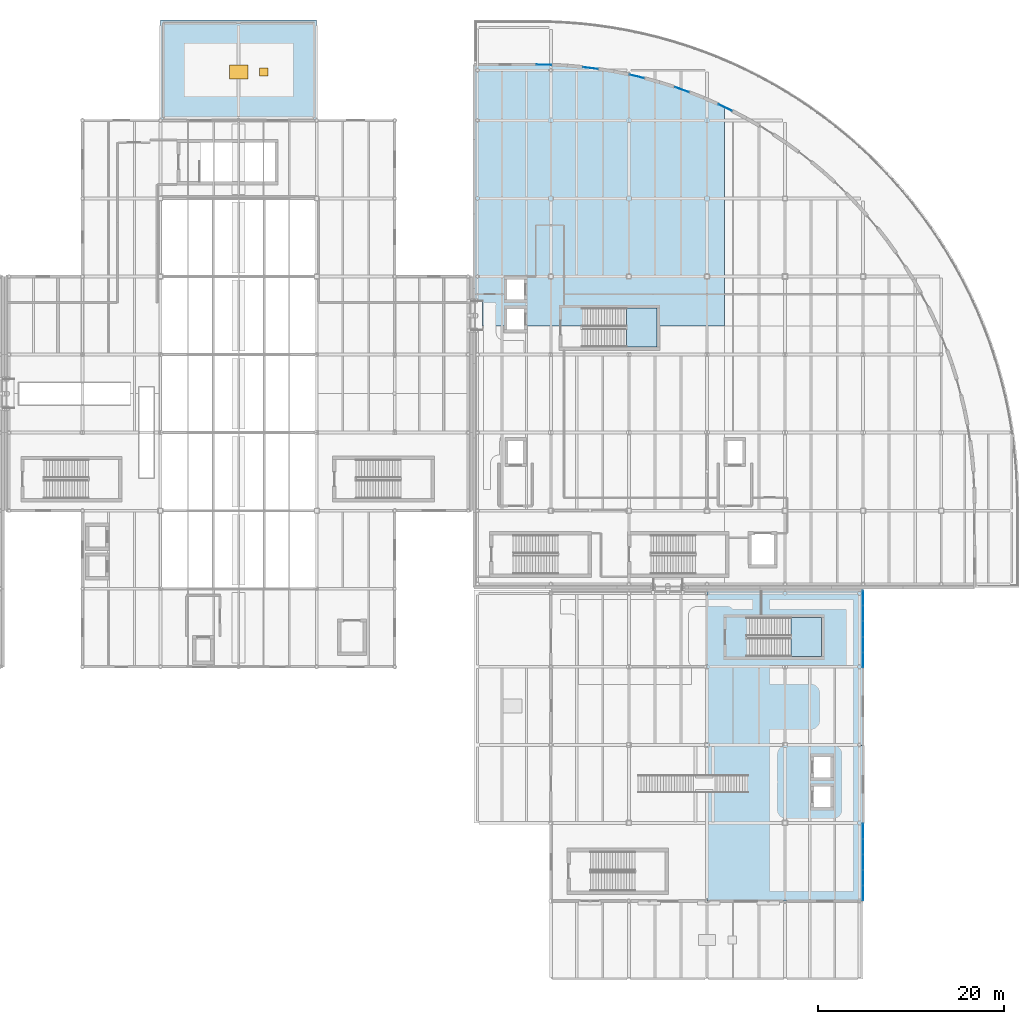
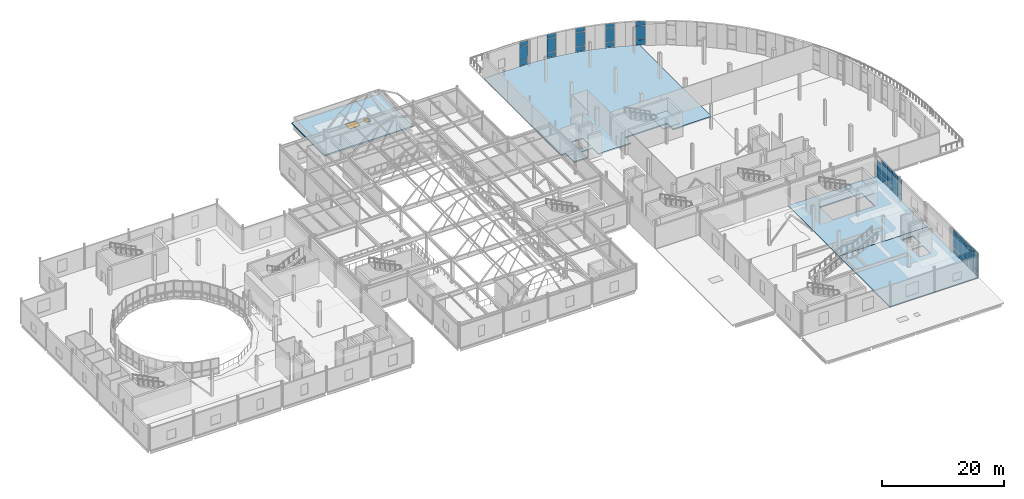
# One storey, part 60 of 103: 44 plates, 6 slabs, 1 door, 1 window, 2 openings, 9 elements without a shape of their own.
"""IFC4 building model written with IfcOpenShell, lengths in metres."""

from ifc_helpers import new_model, si_unit, direction, frame, origin, origin_2d, place, context, subcontext, project, spatial, polyline, rectangle, outline, extrude, material, layer, layer_set, type_object, element, fill, aggregate, save


model = new_model("IFC4")

# Units and contexts
model_context = context("Model", 3, precision=1e-05, world=origin(), true_north=direction((0.0, 1.0)))
body_context = subcontext(model_context, "Body", "Model", "MODEL_VIEW")
ifc_project = project(units=[si_unit("LENGTHUNIT", "METRE"), si_unit("AREAUNIT", "SQUARE_METRE"), si_unit("VOLUMEUNIT", "CUBIC_METRE"), si_unit("PLANEANGLEUNIT", "RADIAN"), si_unit("MASSUNIT", "GRAM", prefix="KILO"), si_unit("THERMODYNAMICTEMPERATUREUNIT", "KELVIN")], contexts=[model_context])

# Site, building, storey
site_placement = place(None, origin())
site = spatial("IfcSite", under=ifc_project, at=site_placement, CompositionType="ELEMENT")
building_placement = place(site_placement, origin())
building = spatial("IfcBuilding", under=site, at=building_placement, Name="Lustrewick Department Store", CompositionType="ELEMENT")
storey_placement = place(building_placement, frame((0.0, 0.0, 16.5)))
storey = spatial("IfcBuildingStorey", under=building, at=storey_placement, Name="L04", CompositionType="ELEMENT", Elevation=16.5)

# Curtain wall, plates
ifc_material_1 = material(Name="Thermally broken aluminium 6063-T5", Category="aluminium")
ifc_layer_1 = layer(ifc_material_1, 0.179931640625, Name="Thermally broken aluminium 6063-T5")
ifc_layer_set_1 = layer_set([ifc_layer_1], Name="Thermally broken aluminium 6063-T5")
curtain_wall_type_1 = type_object("IfcCurtainWallType", Name="CW11", PredefinedType="NOTDEFINED", material=ifc_layer_set_1)
curtain_wall_1_placement = place(storey_placement, origin())
curtain_wall_1 = element("IfcCurtainWall", 1, at=curtain_wall_1_placement, inside=storey, type_object=curtain_wall_type_1, Name="L04 V4 Curtain Wall CW11", PredefinedType="NOTDEFINED")
ifc_material_2 = material(Name="Low-E laminated safety glass", Category="glass")
ifc_layer_2 = layer(ifc_material_2, 0.02392578125, Name="Low-E laminated safety glass")
ifc_layer_set_2 = layer_set([ifc_layer_2], Name="Low-E laminated safety glass")
plate_type_1 = type_object("IfcPlateType", Name="CP01", PredefinedType="CURTAIN_PANEL", material=ifc_layer_set_2)
plate_1_placement = place(storey_placement, frame((126.85302734375, 105.527587890625, 0.06494140625), z_axis=(0.0, 0.0, 1.0), x_axis=(-0.973196447737, 0.229975377185, 0.0)))
plate_1 = element("IfcPlate", 2, at=plate_1_placement, type_object=plate_type_1, Name="CW11 panel 1.1", PredefinedType="CURTAIN_PANEL", context=body_context, shape_type="SweptSolid", body=[
    extrude(rectangle(XDim=1.554931640625, YDim=0.02392578125, at=origin_2d()), origin(), (0.0, 0.0, 1.0), 1.00244140625),
])
plate_2_placement = place(storey_placement, frame((126.85302734375, 105.527587890625, 1.13232421875), z_axis=(0.0, 0.0, 1.0), x_axis=(-0.973196447737, 0.229975377185, 0.0)))
plate_2 = element("IfcPlate", 3, at=plate_2_placement, type_object=plate_type_1, Name="CW11 panel 1.2", PredefinedType="CURTAIN_PANEL", context=body_context, shape_type="SweptSolid", body=[
    extrude(rectangle(XDim=1.554931640625, YDim=0.02392578125, at=origin_2d()), origin(), (0.0, 0.0, 1.0), 2.780029296875),
])
plate_3_placement = place(storey_placement, frame((126.85302734375, 105.527587890625, 3.9775390625), z_axis=(0.0, 0.0, 1.0), x_axis=(-0.973196447737, 0.229975377185, 0.0)))
plate_3 = element("IfcPlate", 4, at=plate_3_placement, type_object=plate_type_1, Name="CW11 panel 1.3", PredefinedType="CURTAIN_PANEL", context=body_context, shape_type="SweptSolid", body=[
    extrude(rectangle(XDim=1.554931640625, YDim=0.02392578125, at=origin_2d()), origin(), (0.0, 0.0, 1.0), 0.802490234375),
])
aggregate(curtain_wall_1, [plate_1, plate_2, plate_3])

ifc_layer_3 = layer(ifc_material_1, 0.169921875, Name="Thermally broken aluminium 6063-T5")
ifc_layer_set_3 = layer_set([ifc_layer_3], Name="Thermally broken aluminium 6063-T5")
curtain_wall_type_2 = type_object("IfcCurtainWallType", Name="CW12", PredefinedType="NOTDEFINED", material=ifc_layer_set_3)
curtain_wall_2_placement = place(storey_placement, origin())
curtain_wall_2 = element("IfcCurtainWall", 5, at=curtain_wall_2_placement, inside=storey, type_object=curtain_wall_type_2, Name="L04 V3 Curtain Wall CW12", PredefinedType="NOTDEFINED")
ifc_layer_4 = layer(ifc_material_2, 0.02587890625, Name="Low-E laminated safety glass")
ifc_layer_set_4 = layer_set([ifc_layer_4], Name="Low-E laminated safety glass")
plate_type_2 = type_object("IfcPlateType", Name="CP02", PredefinedType="CURTAIN_PANEL", material=ifc_layer_set_4)
plate_4_placement = place(storey_placement, frame((151.199951171875, 17.652587890625, 0.06494140625), z_axis=(0.0, 0.0, 1.0), x_axis=(0.0, 1.0, 0.0)))
plate_4 = element("IfcPlate", 6, at=plate_4_placement, type_object=plate_type_2, Name="CW12 panel 1.1", PredefinedType="CURTAIN_PANEL", context=body_context, shape_type="SweptSolid", body=[
    extrude(rectangle(XDim=1.574951171875, YDim=0.02587890625, at=origin_2d()), origin(), (0.0, 0.0, 1.0), 1.00244140625),
])
plate_5_placement = place(storey_placement, frame((151.199951171875, 17.652587890625, 1.13232421875), z_axis=(0.0, 0.0, 1.0), x_axis=(0.0, 1.0, 0.0)))
plate_5 = element("IfcPlate", 7, at=plate_5_placement, type_object=plate_type_2, Name="CW12 panel 1.2", PredefinedType="CURTAIN_PANEL", context=body_context, shape_type="SweptSolid", body=[
    extrude(rectangle(XDim=1.574951171875, YDim=0.02587890625, at=origin_2d()), origin(), (0.0, 0.0, 1.0), 2.780029296875),
])
plate_6_placement = place(storey_placement, frame((151.199951171875, 17.652587890625, 3.9775390625), z_axis=(0.0, 0.0, 1.0), x_axis=(0.0, 1.0, 0.0)))
plate_6 = element("IfcPlate", 8, at=plate_6_placement, type_object=plate_type_2, Name="CW12 panel 1.3", PredefinedType="CURTAIN_PANEL", context=body_context, shape_type="SweptSolid", body=[
    extrude(rectangle(XDim=1.574951171875, YDim=0.02587890625, at=origin_2d()), origin(), (0.0, 0.0, 1.0), 0.802490234375),
])
plate_7_placement = place(storey_placement, frame((151.199951171875, 19.308837890625, 0.06494140625), z_axis=(0.0, 0.0, 1.0), x_axis=(0.0, 1.0, 0.0)))
plate_7 = element("IfcPlate", 9, at=plate_7_placement, type_object=plate_type_2, Name="CW12 panel 2.1", PredefinedType="CURTAIN_PANEL", context=body_context, shape_type="SweptSolid", body=[
    extrude(rectangle(XDim=1.607421875, YDim=0.02587890625, at=origin_2d()), origin(), (0.0, 0.0, 1.0), 1.00244140625),
])
plate_8_placement = place(storey_placement, frame((151.199951171875, 19.308837890625, 1.13232421875), z_axis=(0.0, 0.0, 1.0), x_axis=(0.0, 1.0, 0.0)))
plate_8 = element("IfcPlate", 10, at=plate_8_placement, type_object=plate_type_2, Name="CW12 panel 2.2", PredefinedType="CURTAIN_PANEL", context=body_context, shape_type="SweptSolid", body=[
    extrude(rectangle(XDim=1.607421875, YDim=0.02587890625, at=origin_2d()), origin(), (0.0, 0.0, 1.0), 2.780029296875),
])
plate_9_placement = place(storey_placement, frame((151.199951171875, 19.308837890625, 3.9775390625), z_axis=(0.0, 0.0, 1.0), x_axis=(0.0, 1.0, 0.0)))
plate_9 = element("IfcPlate", 11, at=plate_9_placement, type_object=plate_type_2, Name="CW12 panel 2.3", PredefinedType="CURTAIN_PANEL", context=body_context, shape_type="SweptSolid", body=[
    extrude(rectangle(XDim=1.607421875, YDim=0.02587890625, at=origin_2d()), origin(), (0.0, 0.0, 1.0), 0.802490234375),
])
plate_10_placement = place(storey_placement, frame((151.199951171875, 20.981201171875, 0.06494140625), z_axis=(0.0, 0.0, 1.0), x_axis=(0.0, 1.0, 0.0)))
plate_10 = element("IfcPlate", 12, at=plate_10_placement, type_object=plate_type_2, Name="CW12 panel 3.1", PredefinedType="CURTAIN_PANEL", context=body_context, shape_type="SweptSolid", body=[
    extrude(rectangle(XDim=1.607421875, YDim=0.02587890625, at=origin_2d()), origin(), (0.0, 0.0, 1.0), 1.00244140625),
])
plate_11_placement = place(storey_placement, frame((151.199951171875, 20.981201171875, 1.13232421875), z_axis=(0.0, 0.0, 1.0), x_axis=(0.0, 1.0, 0.0)))
plate_11 = element("IfcPlate", 13, at=plate_11_placement, type_object=plate_type_2, Name="CW12 panel 3.2", PredefinedType="CURTAIN_PANEL", context=body_context, shape_type="SweptSolid", body=[
    extrude(rectangle(XDim=1.607421875, YDim=0.02587890625, at=origin_2d()), origin(), (0.0, 0.0, 1.0), 2.780029296875),
])
plate_12_placement = place(storey_placement, frame((151.199951171875, 20.981201171875, 3.9775390625), z_axis=(0.0, 0.0, 1.0), x_axis=(0.0, 1.0, 0.0)))
plate_12 = element("IfcPlate", 14, at=plate_12_placement, type_object=plate_type_2, Name="CW12 panel 3.3", PredefinedType="CURTAIN_PANEL", context=body_context, shape_type="SweptSolid", body=[
    extrude(rectangle(XDim=1.607421875, YDim=0.02587890625, at=origin_2d()), origin(), (0.0, 0.0, 1.0), 0.802490234375),
])
plate_13_placement = place(storey_placement, frame((151.199951171875, 22.65380859375, 0.06494140625), z_axis=(0.0, 0.0, 1.0), x_axis=(0.0, 1.0, 0.0)))
plate_13 = element("IfcPlate", 15, at=plate_13_placement, type_object=plate_type_2, Name="CW12 panel 4.1", PredefinedType="CURTAIN_PANEL", context=body_context, shape_type="SweptSolid", body=[
    extrude(rectangle(XDim=1.607421875, YDim=0.02587890625, at=origin_2d()), origin(), (0.0, 0.0, 1.0), 1.00244140625),
])
plate_14_placement = place(storey_placement, frame((151.199951171875, 22.65380859375, 1.13232421875), z_axis=(0.0, 0.0, 1.0), x_axis=(0.0, 1.0, 0.0)))
plate_14 = element("IfcPlate", 16, at=plate_14_placement, type_object=plate_type_2, Name="CW12 panel 4.2", PredefinedType="CURTAIN_PANEL", context=body_context, shape_type="SweptSolid", body=[
    extrude(rectangle(XDim=1.607421875, YDim=0.02587890625, at=origin_2d()), origin(), (0.0, 0.0, 1.0), 2.780029296875),
])
plate_15_placement = place(storey_placement, frame((151.199951171875, 22.65380859375, 3.9775390625), z_axis=(0.0, 0.0, 1.0), x_axis=(0.0, 1.0, 0.0)))
plate_15 = element("IfcPlate", 17, at=plate_15_placement, type_object=plate_type_2, Name="CW12 panel 4.3", PredefinedType="CURTAIN_PANEL", context=body_context, shape_type="SweptSolid", body=[
    extrude(rectangle(XDim=1.607421875, YDim=0.02587890625, at=origin_2d()), origin(), (0.0, 0.0, 1.0), 0.802490234375),
])
plate_16_placement = place(storey_placement, frame((151.199951171875, 24.31005859375, 0.06494140625), z_axis=(0.0, 0.0, 1.0), x_axis=(0.0, 1.0, 0.0)))
plate_16 = element("IfcPlate", 18, at=plate_16_placement, type_object=plate_type_2, Name="CW12 panel 5.1", PredefinedType="CURTAIN_PANEL", context=body_context, shape_type="SweptSolid", body=[
    extrude(rectangle(XDim=1.574951171875, YDim=0.02587890625, at=origin_2d()), origin(), (0.0, 0.0, 1.0), 1.00244140625),
])
plate_17_placement = place(storey_placement, frame((151.199951171875, 24.31005859375, 1.13232421875), z_axis=(0.0, 0.0, 1.0), x_axis=(0.0, 1.0, 0.0)))
plate_17 = element("IfcPlate", 19, at=plate_17_placement, type_object=plate_type_2, Name="CW12 panel 5.2", PredefinedType="CURTAIN_PANEL", context=body_context, shape_type="SweptSolid", body=[
    extrude(rectangle(XDim=1.574951171875, YDim=0.02587890625, at=origin_2d()), origin(), (0.0, 0.0, 1.0), 2.780029296875),
])
plate_18_placement = place(storey_placement, frame((151.199951171875, 24.31005859375, 3.9775390625), z_axis=(0.0, 0.0, 1.0), x_axis=(0.0, 1.0, 0.0)))
plate_18 = element("IfcPlate", 20, at=plate_18_placement, type_object=plate_type_2, Name="CW12 panel 5.3", PredefinedType="CURTAIN_PANEL", context=body_context, shape_type="SweptSolid", body=[
    extrude(rectangle(XDim=1.574951171875, YDim=0.02587890625, at=origin_2d()), origin(), (0.0, 0.0, 1.0), 0.802490234375),
])
aggregate(curtain_wall_2, [plate_4, plate_5, plate_6, plate_7, plate_8, plate_9, plate_10, plate_11, plate_12, plate_13, plate_14, plate_15, plate_16, plate_17, plate_18])

curtain_wall_3_placement = place(storey_placement, origin())
curtain_wall_3 = element("IfcCurtainWall", 21, at=curtain_wall_3_placement, inside=storey, type_object=curtain_wall_type_2, Name="L04 V4 Curtain Wall CW12", PredefinedType="NOTDEFINED")
plate_19_placement = place(storey_placement, frame((121.88134765625, 106.424560546875, 0.06494140625), z_axis=(0.0, 0.0, 1.0), x_axis=(-0.992203746242, 0.124626345299, 0.0)))
plate_19 = element("IfcPlate", 22, at=plate_19_placement, type_object=plate_type_2, Name="CW12 panel 1.1", PredefinedType="CURTAIN_PANEL", context=body_context, shape_type="SweptSolid", body=[
    extrude(rectangle(XDim=1.554931640625, YDim=0.02587890625, at=origin_2d()), origin(), (0.0, 0.0, 1.0), 1.00244140625),
])
plate_20_placement = place(storey_placement, frame((121.88134765625, 106.424560546875, 1.13232421875), z_axis=(0.0, 0.0, 1.0), x_axis=(-0.992203746242, 0.124626345299, 0.0)))
plate_20 = element("IfcPlate", 23, at=plate_20_placement, type_object=plate_type_2, Name="CW12 panel 1.2", PredefinedType="CURTAIN_PANEL", context=body_context, shape_type="SweptSolid", body=[
    extrude(rectangle(XDim=1.554931640625, YDim=0.02587890625, at=origin_2d()), origin(), (0.0, 0.0, 1.0), 2.780029296875),
])
plate_21_placement = place(storey_placement, frame((121.88134765625, 106.424560546875, 3.9775390625), z_axis=(0.0, 0.0, 1.0), x_axis=(-0.992203746242, 0.124626345299, 0.0)))
plate_21 = element("IfcPlate", 24, at=plate_21_placement, type_object=plate_type_2, Name="CW12 panel 1.3", PredefinedType="CURTAIN_PANEL", context=body_context, shape_type="SweptSolid", body=[
    extrude(rectangle(XDim=1.554931640625, YDim=0.02587890625, at=origin_2d()), origin(), (0.0, 0.0, 1.0), 0.802490234375),
])
aggregate(curtain_wall_3, [plate_19, plate_20, plate_21])

ifc_layer_5 = layer(ifc_material_1, 0.159912109375, Name="Thermally broken aluminium 6063-T5")
ifc_layer_set_5 = layer_set([ifc_layer_5], Name="Thermally broken aluminium 6063-T5")
curtain_wall_type_3 = type_object("IfcCurtainWallType", Name="CW13", PredefinedType="NOTDEFINED", material=ifc_layer_set_5)
curtain_wall_4_placement = place(storey_placement, origin())
curtain_wall_4 = element("IfcCurtainWall", 25, at=curtain_wall_4_placement, inside=storey, type_object=curtain_wall_type_3, Name="L04 V3 Curtain Wall CW13", PredefinedType="NOTDEFINED")
ifc_layer_6 = layer(ifc_material_2, 0.028076171875, Name="Low-E laminated safety glass")
ifc_layer_set_6 = layer_set([ifc_layer_6], Name="Low-E laminated safety glass")
plate_type_3 = type_object("IfcPlateType", Name="CP03", PredefinedType="CURTAIN_PANEL", material=ifc_layer_set_6)
plate_22_placement = place(storey_placement, frame((151.199951171875, 42.73876953125, 0.06005859375), z_axis=(0.0, 0.0, 1.0), x_axis=(0.0, 1.0, 0.0)))
plate_22 = element("IfcPlate", 26, at=plate_22_placement, type_object=plate_type_3, Name="CW13 panel 1.1", PredefinedType="CURTAIN_PANEL", context=body_context, shape_type="SweptSolid", body=[
    extrude(rectangle(XDim=1.58251953125, YDim=0.028076171875, at=origin_2d()), origin(), (0.0, 0.0, 1.0), 1.010009765625),
])
plate_23_placement = place(storey_placement, frame((151.199951171875, 42.73876953125, 1.1298828125), z_axis=(0.0, 0.0, 1.0), x_axis=(0.0, 1.0, 0.0)))
plate_23 = element("IfcPlate", 27, at=plate_23_placement, type_object=plate_type_3, Name="CW13 panel 1.2", PredefinedType="CURTAIN_PANEL", context=body_context, shape_type="SweptSolid", body=[
    extrude(rectangle(XDim=1.58251953125, YDim=0.028076171875, at=origin_2d()), origin(), (0.0, 0.0, 1.0), 2.260009765625),
])
plate_24_placement = place(storey_placement, frame((151.199951171875, 42.73876953125, 3.449951171875), z_axis=(0.0, 0.0, 1.0), x_axis=(0.0, 1.0, 0.0)))
plate_24 = element("IfcPlate", 28, at=plate_24_placement, type_object=plate_type_3, Name="CW13 panel 1.3", PredefinedType="CURTAIN_PANEL", context=body_context, shape_type="SweptSolid", body=[
    extrude(rectangle(XDim=1.58251953125, YDim=0.028076171875, at=origin_2d()), origin(), (0.0, 0.0, 1.0), 0.81005859375),
])
plate_25_placement = place(storey_placement, frame((151.199951171875, 44.396240234375, 0.06005859375), z_axis=(0.0, 0.0, 1.0), x_axis=(0.0, 1.0, 0.0)))
plate_25 = element("IfcPlate", 29, at=plate_25_placement, type_object=plate_type_3, Name="CW13 panel 2.1", PredefinedType="CURTAIN_PANEL", context=body_context, shape_type="SweptSolid", body=[
    extrude(rectangle(XDim=1.612548828125, YDim=0.028076171875, at=origin_2d()), origin(), (0.0, 0.0, 1.0), 1.010009765625),
])
plate_26_placement = place(storey_placement, frame((151.199951171875, 44.396240234375, 1.1298828125), z_axis=(0.0, 0.0, 1.0), x_axis=(0.0, 1.0, 0.0)))
plate_26 = element("IfcPlate", 30, at=plate_26_placement, type_object=plate_type_3, Name="CW13 panel 2.2", PredefinedType="CURTAIN_PANEL", context=body_context, shape_type="SweptSolid", body=[
    extrude(rectangle(XDim=1.612548828125, YDim=0.028076171875, at=origin_2d()), origin(), (0.0, 0.0, 1.0), 2.260009765625),
])
plate_27_placement = place(storey_placement, frame((151.199951171875, 44.396240234375, 3.449951171875), z_axis=(0.0, 0.0, 1.0), x_axis=(0.0, 1.0, 0.0)))
plate_27 = element("IfcPlate", 31, at=plate_27_placement, type_object=plate_type_3, Name="CW13 panel 2.3", PredefinedType="CURTAIN_PANEL", context=body_context, shape_type="SweptSolid", body=[
    extrude(rectangle(XDim=1.612548828125, YDim=0.028076171875, at=origin_2d()), origin(), (0.0, 0.0, 1.0), 0.81005859375),
])
plate_28_placement = place(storey_placement, frame((151.199951171875, 46.06884765625, 0.06005859375), z_axis=(0.0, 0.0, 1.0), x_axis=(0.0, 1.0, 0.0)))
plate_28 = element("IfcPlate", 32, at=plate_28_placement, type_object=plate_type_3, Name="CW13 panel 3.1", PredefinedType="CURTAIN_PANEL", context=body_context, shape_type="SweptSolid", body=[
    extrude(rectangle(XDim=1.612548828125, YDim=0.028076171875, at=origin_2d()), origin(), (0.0, 0.0, 1.0), 1.010009765625),
])
plate_29_placement = place(storey_placement, frame((151.199951171875, 46.06884765625, 1.1298828125), z_axis=(0.0, 0.0, 1.0), x_axis=(0.0, 1.0, 0.0)))
plate_29 = element("IfcPlate", 33, at=plate_29_placement, type_object=plate_type_3, Name="CW13 panel 3.2", PredefinedType="CURTAIN_PANEL", context=body_context, shape_type="SweptSolid", body=[
    extrude(rectangle(XDim=1.612548828125, YDim=0.028076171875, at=origin_2d()), origin(), (0.0, 0.0, 1.0), 2.260009765625),
])
plate_30_placement = place(storey_placement, frame((151.199951171875, 46.06884765625, 3.449951171875), z_axis=(0.0, 0.0, 1.0), x_axis=(0.0, 1.0, 0.0)))
plate_30 = element("IfcPlate", 34, at=plate_30_placement, type_object=plate_type_3, Name="CW13 panel 3.3", PredefinedType="CURTAIN_PANEL", context=body_context, shape_type="SweptSolid", body=[
    extrude(rectangle(XDim=1.612548828125, YDim=0.028076171875, at=origin_2d()), origin(), (0.0, 0.0, 1.0), 0.81005859375),
])
plate_31_placement = place(storey_placement, frame((151.199951171875, 47.7412109375, 0.06005859375), z_axis=(0.0, 0.0, 1.0), x_axis=(0.0, 1.0, 0.0)))
plate_31 = element("IfcPlate", 35, at=plate_31_placement, type_object=plate_type_3, Name="CW13 panel 4.1", PredefinedType="CURTAIN_PANEL", context=body_context, shape_type="SweptSolid", body=[
    extrude(rectangle(XDim=1.612548828125, YDim=0.028076171875, at=origin_2d()), origin(), (0.0, 0.0, 1.0), 1.010009765625),
])
plate_32_placement = place(storey_placement, frame((151.199951171875, 47.7412109375, 1.1298828125), z_axis=(0.0, 0.0, 1.0), x_axis=(0.0, 1.0, 0.0)))
plate_32 = element("IfcPlate", 36, at=plate_32_placement, type_object=plate_type_3, Name="CW13 panel 4.2", PredefinedType="CURTAIN_PANEL", context=body_context, shape_type="SweptSolid", body=[
    extrude(rectangle(XDim=1.612548828125, YDim=0.028076171875, at=origin_2d()), origin(), (0.0, 0.0, 1.0), 2.260009765625),
])
plate_33_placement = place(storey_placement, frame((151.199951171875, 47.7412109375, 3.449951171875), z_axis=(0.0, 0.0, 1.0), x_axis=(0.0, 1.0, 0.0)))
plate_33 = element("IfcPlate", 37, at=plate_33_placement, type_object=plate_type_3, Name="CW13 panel 4.3", PredefinedType="CURTAIN_PANEL", context=body_context, shape_type="SweptSolid", body=[
    extrude(rectangle(XDim=1.612548828125, YDim=0.028076171875, at=origin_2d()), origin(), (0.0, 0.0, 1.0), 0.81005859375),
])
plate_34_placement = place(storey_placement, frame((151.199951171875, 49.398681640625, 0.06005859375), z_axis=(0.0, 0.0, 1.0), x_axis=(0.0, 1.0, 0.0)))
plate_34 = element("IfcPlate", 38, at=plate_34_placement, type_object=plate_type_3, Name="CW13 panel 5.1", PredefinedType="CURTAIN_PANEL", context=body_context, shape_type="SweptSolid", body=[
    extrude(rectangle(XDim=1.58251953125, YDim=0.028076171875, at=origin_2d()), origin(), (0.0, 0.0, 1.0), 1.010009765625),
])
plate_35_placement = place(storey_placement, frame((151.199951171875, 49.398681640625, 1.1298828125), z_axis=(0.0, 0.0, 1.0), x_axis=(0.0, 1.0, 0.0)))
plate_35 = element("IfcPlate", 39, at=plate_35_placement, type_object=plate_type_3, Name="CW13 panel 5.2", PredefinedType="CURTAIN_PANEL", context=body_context, shape_type="SweptSolid", body=[
    extrude(rectangle(XDim=1.58251953125, YDim=0.028076171875, at=origin_2d()), origin(), (0.0, 0.0, 1.0), 2.260009765625),
])
aggregate(curtain_wall_4, [plate_22, plate_23, plate_24, plate_25, plate_26, plate_27, plate_28, plate_29, plate_30, plate_31, plate_32, plate_33, plate_34, plate_35])

curtain_wall_5_placement = place(storey_placement, origin())
curtain_wall_5 = element("IfcCurtainWall", 40, at=curtain_wall_5_placement, inside=storey, type_object=curtain_wall_type_3, Name="L04 V4 Curtain Wall CW13", PredefinedType="NOTDEFINED")
plate_36_placement = place(storey_placement, frame((116.84228515625, 106.784912109375, 0.06005859375), z_axis=(0.0, 0.0, 1.0), x_axis=(-0.999840429031, 0.017863831485, 0.0)))
plate_36 = element("IfcPlate", 41, at=plate_36_placement, type_object=plate_type_3, Name="CW13 panel 1.1", PredefinedType="CURTAIN_PANEL", context=body_context, shape_type="SweptSolid", body=[
    extrude(rectangle(XDim=1.56494140625, YDim=0.028076171875, at=origin_2d()), origin(), (0.0, 0.0, 1.0), 1.010009765625),
])
plate_37_placement = place(storey_placement, frame((116.84228515625, 106.784912109375, 1.1298828125), z_axis=(0.0, 0.0, 1.0), x_axis=(-0.999840429031, 0.017863831485, 0.0)))
plate_37 = element("IfcPlate", 42, at=plate_37_placement, type_object=plate_type_3, Name="CW13 panel 1.2", PredefinedType="CURTAIN_PANEL", context=body_context, shape_type="SweptSolid", body=[
    extrude(rectangle(XDim=1.56494140625, YDim=0.028076171875, at=origin_2d()), origin(), (0.0, 0.0, 1.0), 2.784912109375),
])
plate_38_placement = place(storey_placement, frame((116.84228515625, 106.784912109375, 3.974853515625), z_axis=(0.0, 0.0, 1.0), x_axis=(-0.999840429031, 0.017863831485, 0.0)))
plate_38 = element("IfcPlate", 43, at=plate_38_placement, type_object=plate_type_3, Name="CW13 panel 1.3", PredefinedType="CURTAIN_PANEL", context=body_context, shape_type="SweptSolid", body=[
    extrude(rectangle(XDim=1.56494140625, YDim=0.028076171875, at=origin_2d()), origin(), (0.0, 0.0, 1.0), 0.81005859375),
])
aggregate(curtain_wall_5, [plate_36, plate_37, plate_38])

ifc_layer_7 = layer(ifc_material_1, 0.110107421875, Name="Thermally broken aluminium 6063-T5")
ifc_layer_set_7 = layer_set([ifc_layer_7], Name="Thermally broken aluminium 6063-T5")
curtain_wall_type_4 = type_object("IfcCurtainWallType", Name="CW09", PredefinedType="NOTDEFINED", material=ifc_layer_set_7)
curtain_wall_6_placement = place(storey_placement, origin())
curtain_wall_6 = element("IfcCurtainWall", 44, at=curtain_wall_6_placement, inside=storey, type_object=curtain_wall_type_4, Name="L04 V4 Curtain Wall CW09", PredefinedType="NOTDEFINED")
ifc_material_3 = material(Name="Tinted ceramic spandrel safety glass", Category="glass")
ifc_layer_8 = layer(ifc_material_3, 0.030029296875, Name="Tinted ceramic spandrel safety glass")
ifc_layer_set_8 = layer_set([ifc_layer_8], Name="Tinted ceramic spandrel safety glass")
plate_type_4 = type_object("IfcPlateType", Name="CP04", PredefinedType="CURTAIN_PANEL", material=ifc_layer_set_8)
plate_39_placement = place(storey_placement, frame((136.367431640625, 102.1708984375, 0.050048828125), z_axis=(0.0, 0.0, 1.0), x_axis=(-0.902066916425, 0.431596198189, 0.0)))
plate_39 = element("IfcPlate", 45, at=plate_39_placement, type_object=plate_type_4, Name="CW09 panel 1.1", PredefinedType="CURTAIN_PANEL", context=body_context, shape_type="SweptSolid", body=[
    extrude(rectangle(XDim=1.5849609375, YDim=0.030029296875, at=origin_2d()), origin(), (0.0, 0.0, 1.0), 1.02490234375),
])
plate_40_placement = place(storey_placement, frame((136.367431640625, 102.1708984375, 1.125), z_axis=(0.0, 0.0, 1.0), x_axis=(-0.902066916425, 0.431596198189, 0.0)))
plate_40 = element("IfcPlate", 46, at=plate_40_placement, type_object=plate_type_4, Name="CW09 panel 1.2", PredefinedType="CURTAIN_PANEL", context=body_context, shape_type="SweptSolid", body=[
    extrude(rectangle(XDim=1.5849609375, YDim=0.030029296875, at=origin_2d()), origin(), (0.0, 0.0, 1.0), 2.794921875),
])
plate_41_placement = place(storey_placement, frame((136.367431640625, 102.1708984375, 3.97021484375), z_axis=(0.0, 0.0, 1.0), x_axis=(-0.902066916425, 0.431596198189, 0.0)))
plate_41 = element("IfcPlate", 47, at=plate_41_placement, type_object=plate_type_4, Name="CW09 panel 1.3", PredefinedType="CURTAIN_PANEL", context=body_context, shape_type="SweptSolid", body=[
    extrude(rectangle(XDim=1.5849609375, YDim=0.030029296875, at=origin_2d()), origin(), (0.0, 0.0, 1.0), 0.824951171875),
])
aggregate(curtain_wall_6, [plate_39, plate_40, plate_41])

ifc_layer_9 = layer(ifc_material_1, 0.199951171875, Name="Thermally broken aluminium 6063-T5")
ifc_layer_set_9 = layer_set([ifc_layer_9], Name="Thermally broken aluminium 6063-T5")
curtain_wall_type_5 = type_object("IfcCurtainWallType", Name="CW10", PredefinedType="NOTDEFINED", material=ifc_layer_set_9)
curtain_wall_7_placement = place(storey_placement, origin())
curtain_wall_7 = element("IfcCurtainWall", 48, at=curtain_wall_7_placement, inside=storey, type_object=curtain_wall_type_5, Name="L04 V4 Curtain Wall CW10", PredefinedType="NOTDEFINED")
ifc_material_4 = material(Name="Low-E triple laminated safety glass", Category="glass")
ifc_layer_10 = layer(ifc_material_4, 0.031982421875, Name="Low-E triple laminated safety glass")
ifc_layer_set_10 = layer_set([ifc_layer_10], Name="Low-E triple laminated safety glass")
plate_type_5 = type_object("IfcPlateType", Name="CP05", PredefinedType="CURTAIN_PANEL", material=ifc_layer_set_10)
plate_42_placement = place(storey_placement, frame((131.7001953125, 104.104248046875, 0.06982421875), z_axis=(0.0, 0.0, 1.0), x_axis=(-0.943031960765, 0.332702150544, 0.0)))
plate_42 = element("IfcPlate", 49, at=plate_42_placement, type_object=plate_type_5, Name="CW10 panel 1.1", PredefinedType="CURTAIN_PANEL", context=body_context, shape_type="SweptSolid", body=[
    extrude(rectangle(XDim=1.544921875, YDim=0.031982421875, at=origin_2d()), origin(), (0.0, 0.0, 1.0), 0.9951171875),
])
plate_43_placement = place(storey_placement, frame((131.7001953125, 104.104248046875, 1.135009765625), z_axis=(0.0, 0.0, 1.0), x_axis=(-0.943031960765, 0.332702150544, 0.0)))
plate_43 = element("IfcPlate", 50, at=plate_43_placement, type_object=plate_type_5, Name="CW10 panel 1.2", PredefinedType="CURTAIN_PANEL", context=body_context, shape_type="SweptSolid", body=[
    extrude(rectangle(XDim=1.544921875, YDim=0.031982421875, at=origin_2d()), origin(), (0.0, 0.0, 1.0), 2.77490234375),
])
plate_44_placement = place(storey_placement, frame((131.7001953125, 104.104248046875, 3.97998046875), z_axis=(0.0, 0.0, 1.0), x_axis=(-0.943031960765, 0.332702150544, 0.0)))
plate_44 = element("IfcPlate", 51, at=plate_44_placement, type_object=plate_type_5, Name="CW10 panel 1.3", PredefinedType="CURTAIN_PANEL", context=body_context, shape_type="SweptSolid", body=[
    extrude(rectangle(XDim=1.544921875, YDim=0.031982421875, at=origin_2d()), origin(), (0.0, 0.0, 1.0), 0.794921875),
])
aggregate(curtain_wall_7, [plate_42, plate_43, plate_44])

# Slabs
ifc_material_5 = material(Name="Concrete C30", Category="concrete")
ifc_layer_11 = layer(ifc_material_5, 0.235107421875, Name="Concrete C30")
ifc_layer_set_11 = layer_set([ifc_layer_11], Name="Concrete C30")
slab_type_1 = type_object("IfcSlabType", Name="FS04", PredefinedType="FLOOR", material=ifc_layer_set_11)
slab_1_placement = place(storey_placement, frame((0.0, 0.0, -0.235107421875)))
element("IfcSlab", 52, at=slab_1_placement, inside=storey, type_object=slab_type_1, Name="L04 V3 Floor Slab FS04", PredefinedType="FLOOR", context=body_context, shape_type="SweptSolid", body=[
    extrude(outline(polyline([(151.199951171875, 16.800048828125), (151.199951171875, 33.52490234375), (134.39990234375, 33.52490234375), (134.39990234375, 16.800048828125), (151.199951171875, 16.800048828125)]), holes=[polyline([(145.75, 26.75), (145.75, 29.25), (147.85009765625, 29.25), (147.85009765625, 26.75), (145.75, 26.75)]), polyline([(145.75, 29.949951171875), (145.75, 32.449951171875), (147.85009765625, 32.449951171875), (147.85009765625, 29.949951171875), (145.75, 29.949951171875)])]), origin(), (0.0, 0.0, 1.0), 0.235107421875),
])
slab_2_placement = place(storey_placement, frame((0.0, 0.0, -0.235107421875)))
element("IfcSlab", 53, at=slab_2_placement, inside=storey, type_object=slab_type_1, Name="L04 V3 Floor Slab FS04", PredefinedType="FLOOR", context=body_context, shape_type="SweptSolid", body=[
    extrude(outline(polyline([(151.199951171875, 50.25), (134.39990234375, 50.25), (134.39990234375, 33.52490234375), (151.199951171875, 33.52490234375), (151.199951171875, 50.25)]), holes=[polyline([(138.719970703125, 43.10009765625), (138.719970703125, 47.300048828125), (146.699951171875, 47.300048828125), (146.699951171875, 43.10009765625), (138.719970703125, 43.10009765625)])]), origin(), (0.0, 0.0, 1.0), 0.235107421875),
])
slab_3_placement = place(storey_placement, frame((0.0, 0.0, -0.235107421875)))
element("IfcSlab", 54, at=slab_3_placement, inside=storey, type_object=slab_type_1, Name="L04 V4 Floor Slab FS04", PredefinedType="FLOOR", context=body_context, shape_type="SweptSolid", body=[
    extrude(outline(polyline([(110.235107421875, 81.405029296875), (110.235107421875, 78.675048828125), (112.75, 78.675048828125), (112.75, 80.64990234375), (114.85009765625, 80.64990234375), (114.85009765625, 78.675048828125), (121.02001953125, 78.675048828125), (121.02001953125, 80.60009765625), (129.0, 80.60009765625), (129.0, 78.675048828125), (136.27490234375, 78.675048828125), (136.27490234375, 102.21533203125), (135.607666015625, 102.53466796875), (134.062744140625, 103.20703125), (132.49462890625, 103.823974609375), (130.90576171875, 104.384521484375), (129.2978515625, 104.88818359375), (127.6728515625, 105.333740234375), (126.033203125, 105.72119140625), (124.380615234375, 106.050048828125), (122.71728515625, 106.319580078125), (121.04541015625, 106.529541015625), (119.3671875, 106.6796875), (117.684814453125, 106.77001953125), (116.0, 106.800048828125), (109.35009765625, 106.800048828125), (109.35009765625, 81.405029296875), (110.235107421875, 81.405029296875)]), holes=[polyline([(112.75, 81.35009765625), (112.75, 83.85009765625), (114.85009765625, 83.85009765625), (114.85009765625, 81.35009765625), (112.75, 81.35009765625)])]), origin(), (0.0, 0.0, 1.0), 0.235107421875),
])

# Stair, slab
stair_type = type_object("IfcStairType", Name="ST-H51", PredefinedType="HALF_TURN_STAIR", material=ifc_material_5)
stair_1_placement = place(storey_placement, origin())
stair_1 = element("IfcStair", 55, at=stair_1_placement, inside=storey, type_object=stair_type, Name="L04 Smoke-Proof Exit Stair ST08", PredefinedType="HALF_TURN_STAIR")
ifc_layer_12 = layer(ifc_material_5, 0.199951171875, Name="Concrete C30")
ifc_layer_set_12 = layer_set([ifc_layer_12], Name="Concrete C30")
slab_type_2 = type_object("IfcSlabType", Name="LS01", PredefinedType="LANDING", material=ifc_layer_set_12)
slab_4_placement = place(storey_placement, frame((0.0, 0.0, 2.35009765625)))
slab_4 = element("IfcSlab", 56, at=slab_4_placement, type_object=slab_type_2, Name="ST-H51 landing 1", PredefinedType="LANDING", context=body_context, shape_type="SweptSolid", body=[
    extrude(outline(polyline([(143.449951171875, 43.10009765625), (146.699951171875, 43.10009765625), (146.699951171875, 47.300048828125), (143.449951171875, 47.300048828125), (143.449951171875, 43.10009765625)])), origin(), (0.0, 0.0, 1.0), 0.199951171875),
])
aggregate(stair_1, [slab_4])

stair_2_placement = place(storey_placement, origin())
stair_2 = element("IfcStair", 57, at=stair_2_placement, inside=storey, type_object=stair_type, Name="L04 Smoke-Proof Exit Stair ST10", PredefinedType="HALF_TURN_STAIR")
slab_5_placement = place(storey_placement, frame((0.0, 0.0, 2.35009765625)))
slab_5 = element("IfcSlab", 58, at=slab_5_placement, type_object=slab_type_2, Name="ST-H51 landing 1", PredefinedType="LANDING", context=body_context, shape_type="SweptSolid", body=[
    extrude(outline(polyline([(125.75, 76.39990234375), (129.0, 76.39990234375), (129.0, 80.60009765625), (125.75, 80.60009765625), (125.75, 76.39990234375)])), origin(), (0.0, 0.0, 1.0), 0.199951171875),
])
aggregate(stair_2, [slab_5])

# Slab, openings, door, window
ifc_material_6 = material(Name="Concrete C35", Category="concrete")
ifc_layer_13 = layer(ifc_material_6, 0.248046875, Name="Concrete C35")
ifc_layer_set_13 = layer_set([ifc_layer_13], Name="Concrete C35")
slab_type_3 = type_object("IfcSlabType", Name="RS01", PredefinedType="ROOF", material=ifc_layer_set_13)
slab_6_placement = place(storey_placement, frame((0.0, 0.0, -0.248046875)))
slab_6 = element("IfcSlab", 59, at=slab_6_placement, inside=storey, type_object=slab_type_3, Name="L04 Flat Insulated Roof V2-PORTAL", PredefinedType="ROOF", context=body_context, shape_type="SweptSolid", body=[
    extrude(outline(polyline([(92.39990234375, 100.800048828125), (92.39990234375, 111.60009765625), (75.60009765625, 111.60009765625), (75.60009765625, 100.800048828125), (92.39990234375, 100.800048828125)])), origin(), (0.0, 0.0, 1.0), 0.248046875),
])
opening_1_placement = place(slab_6_placement, frame((84.0, 106.0, -0.010009765625)))
opening_1 = element("IfcOpeningElement", 60, at=opening_1_placement, cuts=slab_6, Name="Opening SK05", PredefinedType="OPENING", context=body_context, shape_type="SweptSolid", body=[
    extrude(rectangle(XDim=2.0, YDim=1.5, at=origin_2d()), origin(), (0.0, 0.0, 1.0), 0.26806640625),
])
opening_2_placement = place(slab_6_placement, frame((86.699951171875, 106.0, -0.010009765625)))
opening_2 = element("IfcOpeningElement", 61, at=opening_2_placement, cuts=slab_6, Name="Opening D-HT01", PredefinedType="OPENING", context=body_context, shape_type="SweptSolid", body=[
    extrude(rectangle(XDim=0.89990234375, YDim=0.89990234375, at=origin_2d()), origin(), (0.0, 0.0, 1.0), 0.26806640625),
])
ifc_material_7 = material(Name="Insulated aluminium roof access trapdoor", Category="aluminium")
door_type = type_object("IfcDoorType", Name="DT-14", OperationType="NOTDEFINED", PredefinedType="TRAPDOOR", material=ifc_material_7)
door_placement = place(opening_2_placement, frame((0.0, 0.0, 0.2080078125)))
door = element("IfcDoor", 62, at=door_placement, inside=storey, type_object=door_type, Name="L04 Roof Access Trapdoor D-HT01", OperationType="SINGLE_SWING_LEFT", OverallHeight=0.89990234375, OverallWidth=0.89990234375, PredefinedType="TRAPDOOR", context=body_context, shape_type="SweptSolid", body=[
    extrude(rectangle(XDim=0.89990234375, YDim=0.89990234375, at=origin_2d()), origin(), (0.0, 0.0, 1.0), 0.050048828125),
])
fill(opening_2, door)
ifc_material_8 = material(Name="Thermally broken Low-E triple-glazed skylight", Category="glass")
window_type = type_object("IfcWindowType", Name="SK05", PartitioningType="SINGLE_PANEL", PredefinedType="SKYLIGHT", material=ifc_material_8)
window_placement = place(opening_1_placement, frame((0.0, 0.0, 0.2080078125)))
window = element("IfcWindow", 63, at=window_placement, inside=storey, type_object=window_type, Name="L04 Roof Skylight SK05", OverallHeight=1.5, OverallWidth=2.0, PartitioningType="SINGLE_PANEL", PredefinedType="SKYLIGHT", context=body_context, shape_type="SweptSolid", body=[
    extrude(rectangle(XDim=2.0, YDim=1.5, at=origin_2d()), origin(), (0.0, 0.0, 1.0), 0.050048828125),
])
fill(opening_1, window)

save(model, "model.ifc")
